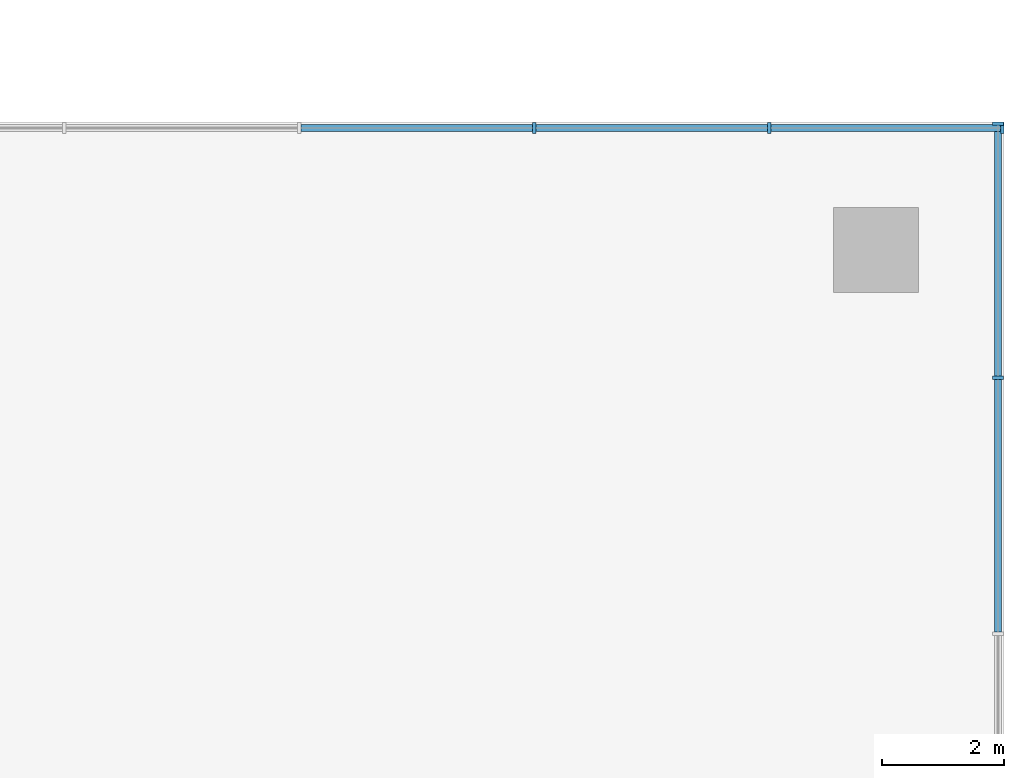
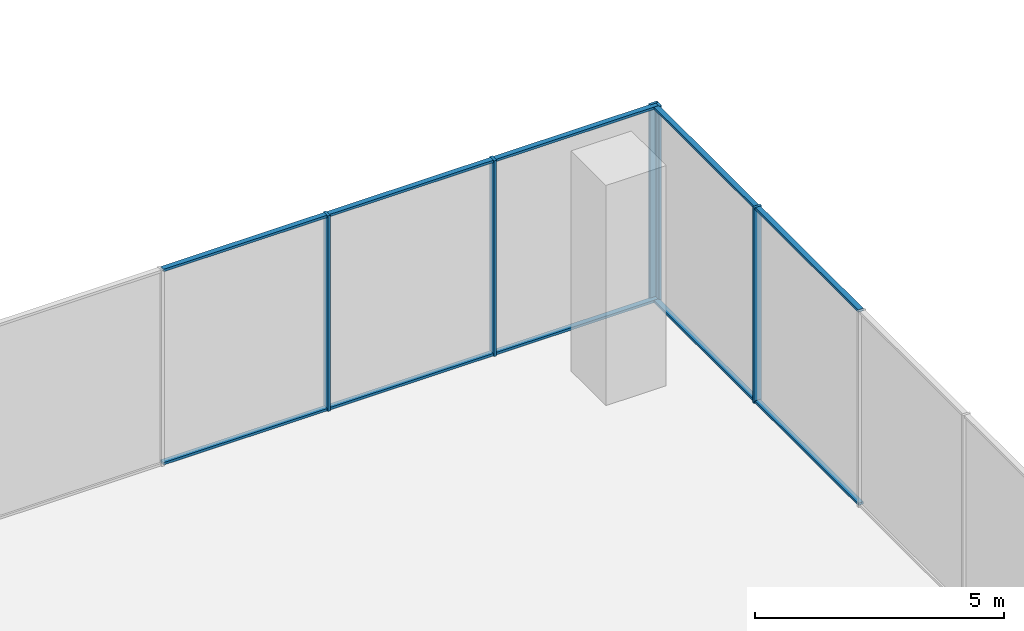
# One storey, part 9 of 21: 15 members, 2 elements without a shape of their own.
"""IFC4 building model written with IfcOpenShell, lengths in metres."""

from ifc_helpers import new_model, si_unit, direction, frame, origin, origin_2d, place, context, subcontext, project, spatial, rectangle, extrude, source, transform, mapped, material, layer, layer_set, material_profile, profile_set, type_object, element, aggregate, save


model = new_model("IFC4")

# Units and contexts
model_context = context("Model", 3, precision=1e-05, world=origin(), true_north=direction((0.0, 1.0)))
body_context = subcontext(model_context, "Body", "Model", "MODEL_VIEW")
ifc_project = project(units=[si_unit("LENGTHUNIT", "METRE"), si_unit("AREAUNIT", "SQUARE_METRE"), si_unit("VOLUMEUNIT", "CUBIC_METRE"), si_unit("PLANEANGLEUNIT", "RADIAN"), si_unit("MASSUNIT", "GRAM", prefix="KILO")], contexts=[model_context])

# Site, building, storey
site_placement = place(None, origin())
site = spatial("IfcSite", under=ifc_project, at=site_placement, CompositionType="ELEMENT")
building_placement = place(site_placement, origin())
building = spatial("IfcBuilding", under=site, at=building_placement, Name="Aurelian Terraces", CompositionType="ELEMENT")
storey_placement = place(building_placement, frame((0.0, 0.0, 29.1)))
storey = spatial("IfcBuildingStorey", under=building, at=storey_placement, Name="L05", CompositionType="ELEMENT", Elevation=29.1)

# Curtain wall, members
ifc_material_1 = material(Name="Anodised aluminium and clear glazing", Category="aluminium")
ifc_layer = layer(ifc_material_1, 0.2)
ifc_layer_set = layer_set([ifc_layer], Name="Winter garden glazing curtain wall")
curtain_wall_type = type_object("IfcCurtainWallType", Name="Winter garden glazing curtain wall", PredefinedType="NOTDEFINED", material=ifc_layer_set)
curtain_wall_1_placement = place(storey_placement, origin())
curtain_wall_1 = element("IfcCurtainWall", 1, at=curtain_wall_1_placement, inside=storey, type_object=curtain_wall_type, Name="Winter garden glazing L05 F02.1", PredefinedType="NOTDEFINED")
ifc_material_2 = material(Name="Anodised aluminium", Category="aluminium")
ifc_material_profile_1 = material_profile(ifc_material_2, rectangle(XDim=0.18, YDim=0.06, at=origin_2d()))
ifc_profile_set_1 = profile_set([ifc_material_profile_1], Name="Anodised aluminium")
member_type_1 = type_object("IfcMemberType", Name="Winter garden glazing mullion", PredefinedType="MULLION", material=ifc_profile_set_1)
shared_shape_1 = source(origin(), body_context, "Body", "SweptSolid", [
    extrude(rectangle(XDim=0.18, YDim=0.06, at=origin_2d()), origin(), (0.0, 0.0, 1.0), 4.8),
])
member_1_placement = place(storey_placement, frame((71.72, 35.7, 0.0), z_axis=(0.0, 0.0, 1.0), x_axis=(-1.0, 0.0, 0.0)))
member_1 = element("IfcMember", 2, at=member_1_placement, type_object=member_type_1, Name="CW6 mullion 10", PredefinedType="MULLION", context=body_context, shape_type="MappedRepresentation", body=[
    mapped(shared_shape_1, transform((0.0, 0.0, 0.0), scale=1.0)),
])
member_2_placement = place(storey_placement, frame((71.72, 39.87, 0.0), z_axis=(0.0, 0.0, 1.0), x_axis=(-1.0, 0.0, 0.0)))
member_2 = element("IfcMember", 3, at=member_2_placement, type_object=member_type_1, Name="CW6 mullion 11", PredefinedType="MULLION", context=body_context, shape_type="MappedRepresentation", body=[
    mapped(shared_shape_1, transform((0.0, 0.0, 0.0), scale=1.0)),
])

curtain_wall_2_placement = place(storey_placement, origin())
curtain_wall_2 = element("IfcCurtainWall", 4, at=curtain_wall_2_placement, inside=storey, type_object=curtain_wall_type, Name="Winter garden glazing L05 F03.1", PredefinedType="NOTDEFINED")
member_3_placement = place(storey_placement, frame((71.79, 39.8, 0.0), z_axis=(0.0, 0.0, 1.0), x_axis=(0.0, -1.0, 0.0)))
member_3 = element("IfcMember", 5, at=member_3_placement, type_object=member_type_1, Name="CW6 mullion 1", PredefinedType="MULLION", context=body_context, shape_type="MappedRepresentation", body=[
    mapped(shared_shape_1, transform((0.0, 0.0, 0.0), scale=1.0)),
])
member_4_placement = place(storey_placement, frame((67.964, 39.8, 0.0), z_axis=(0.0, 0.0, 1.0), x_axis=(0.0, -1.0, 0.0)))
member_4 = element("IfcMember", 6, at=member_4_placement, type_object=member_type_1, Name="CW6 mullion 2", PredefinedType="MULLION", context=body_context, shape_type="MappedRepresentation", body=[
    mapped(shared_shape_1, transform((0.0, 0.0, 0.0), scale=1.0)),
])
member_5_placement = place(storey_placement, frame((64.108, 39.8, 0.0), z_axis=(0.0, 0.0, 1.0), x_axis=(0.0, -1.0, 0.0)))
member_5 = element("IfcMember", 7, at=member_5_placement, type_object=member_type_1, Name="CW6 mullion 3", PredefinedType="MULLION", context=body_context, shape_type="MappedRepresentation", body=[
    mapped(shared_shape_1, transform((0.0, 0.0, 0.0), scale=1.0)),
])

# Member
ifc_material_profile_2 = material_profile(ifc_material_2, rectangle(XDim=0.12, YDim=0.06, at=origin_2d()))
ifc_profile_set_2 = profile_set([ifc_material_profile_2], Name="Anodised aluminium")
member_type_2 = type_object("IfcMemberType", Name="Winter garden glazing transom", PredefinedType="USERDEFINED", material=ifc_profile_set_2)
shared_shape_2 = source(origin(), body_context, "Body", "SweptSolid", [
    extrude(rectangle(XDim=0.12, YDim=0.06, at=origin_2d()), origin(), (0.0, 0.0, 1.0), 4.11),
])
member_6_placement = place(storey_placement, frame((71.72, 35.73, 0.03), z_axis=(0.0, 1.0, 0.0), x_axis=(-1.0, 0.0, 0.0)))
member_6 = element("IfcMember", 8, at=member_6_placement, type_object=member_type_2, Name="CW6 transom 10.1", ObjectType="TRANSOM", PredefinedType="USERDEFINED", context=body_context, shape_type="MappedRepresentation", body=[
    mapped(shared_shape_2, transform((0.0, 0.0, 0.0), scale=1.0)),
])

member_7_placement = place(storey_placement, frame((71.72, 35.73, 4.77), z_axis=(0.0, 1.0, 0.0), x_axis=(-1.0, 0.0, 0.0)))
member_7 = element("IfcMember", 9, at=member_7_placement, type_object=member_type_2, Name="CW6 transom 10.2", ObjectType="TRANSOM", PredefinedType="USERDEFINED", context=body_context, shape_type="MappedRepresentation", body=[
    mapped(shared_shape_2, transform((0.0, 0.0, 0.0), scale=1.0)),
])

shared_shape_3 = source(origin(), body_context, "Body", "SweptSolid", [
    extrude(rectangle(XDim=0.12, YDim=0.06, at=origin_2d()), origin(), (0.0, 0.0, 1.0), 4.14),
])
member_8_placement = place(storey_placement, frame((71.72, 31.53, 0.03), z_axis=(0.0, 1.0, 0.0), x_axis=(-1.0, 0.0, 0.0)))
member_8 = element("IfcMember", 10, at=member_8_placement, type_object=member_type_2, Name="CW6 transom 9.1", ObjectType="TRANSOM", PredefinedType="USERDEFINED", context=body_context, shape_type="MappedRepresentation", body=[
    mapped(shared_shape_3, transform((0.0, 0.0, 0.0), scale=1.0)),
])

member_9_placement = place(storey_placement, frame((71.72, 31.53, 4.77), z_axis=(0.0, 1.0, 0.0), x_axis=(-1.0, 0.0, 0.0)))
member_9 = element("IfcMember", 11, at=member_9_placement, type_object=member_type_2, Name="CW6 transom 9.2", ObjectType="TRANSOM", PredefinedType="USERDEFINED", context=body_context, shape_type="MappedRepresentation", body=[
    mapped(shared_shape_3, transform((0.0, 0.0, 0.0), scale=1.0)),
])

aggregate(curtain_wall_1, [member_1, member_2, member_8, member_9, member_6, member_7])

shared_shape_4 = source(origin(), body_context, "Body", "SweptSolid", [
    extrude(rectangle(XDim=0.12, YDim=0.06, at=origin_2d()), origin(), (0.0, 0.0, 1.0), 3.766),
])
member_10_placement = place(storey_placement, frame((71.76, 39.8, 0.03), z_axis=(-1.0, 0.0, 0.0), x_axis=(0.0, -1.0, 0.0)))
member_10 = element("IfcMember", 12, at=member_10_placement, type_object=member_type_2, Name="CW6 transom 1.1", ObjectType="TRANSOM", PredefinedType="USERDEFINED", context=body_context, shape_type="MappedRepresentation", body=[
    mapped(shared_shape_4, transform((0.0, 0.0, 0.0), scale=1.0)),
])

member_11_placement = place(storey_placement, frame((71.76, 39.8, 4.77), z_axis=(-1.0, 0.0, 0.0), x_axis=(0.0, -1.0, 0.0)))
member_11 = element("IfcMember", 13, at=member_11_placement, type_object=member_type_2, Name="CW6 transom 1.2", ObjectType="TRANSOM", PredefinedType="USERDEFINED", context=body_context, shape_type="MappedRepresentation", body=[
    mapped(shared_shape_4, transform((0.0, 0.0, 0.0), scale=1.0)),
])

shared_shape_5 = source(origin(), body_context, "Body", "SweptSolid", [
    extrude(rectangle(XDim=0.12, YDim=0.06, at=origin_2d()), origin(), (0.0, 0.0, 1.0), 3.796),
])
member_12_placement = place(storey_placement, frame((67.934, 39.8, 0.03), z_axis=(-1.0, 0.0, 0.0), x_axis=(0.0, -1.0, 0.0)))
member_12 = element("IfcMember", 14, at=member_12_placement, type_object=member_type_2, Name="CW6 transom 2.1", ObjectType="TRANSOM", PredefinedType="USERDEFINED", context=body_context, shape_type="MappedRepresentation", body=[
    mapped(shared_shape_5, transform((0.0, 0.0, 0.0), scale=1.0)),
])

member_13_placement = place(storey_placement, frame((67.934, 39.8, 4.77), z_axis=(-1.0, 0.0, 0.0), x_axis=(0.0, -1.0, 0.0)))
member_13 = element("IfcMember", 15, at=member_13_placement, type_object=member_type_2, Name="CW6 transom 2.2", ObjectType="TRANSOM", PredefinedType="USERDEFINED", context=body_context, shape_type="MappedRepresentation", body=[
    mapped(shared_shape_5, transform((0.0, 0.0, 0.0), scale=1.0)),
])

member_14_placement = place(storey_placement, frame((64.078, 39.8, 0.03), z_axis=(-1.0, 0.0, 0.0), x_axis=(0.0, -1.0, 0.0)))
member_14 = element("IfcMember", 16, at=member_14_placement, type_object=member_type_2, Name="CW6 transom 3.1", ObjectType="TRANSOM", PredefinedType="USERDEFINED", context=body_context, shape_type="MappedRepresentation", body=[
    mapped(shared_shape_5, transform((0.0, 0.0, 0.0), scale=1.0)),
])

member_15_placement = place(storey_placement, frame((64.078, 39.8, 4.77), z_axis=(-1.0, 0.0, 0.0), x_axis=(0.0, -1.0, 0.0)))
member_15 = element("IfcMember", 17, at=member_15_placement, type_object=member_type_2, Name="CW6 transom 3.2", ObjectType="TRANSOM", PredefinedType="USERDEFINED", context=body_context, shape_type="MappedRepresentation", body=[
    mapped(shared_shape_5, transform((0.0, 0.0, 0.0), scale=1.0)),
])

aggregate(curtain_wall_2, [member_3, member_4, member_5, member_10, member_11, member_12, member_13, member_14, member_15])

save(model, "model.ifc")
